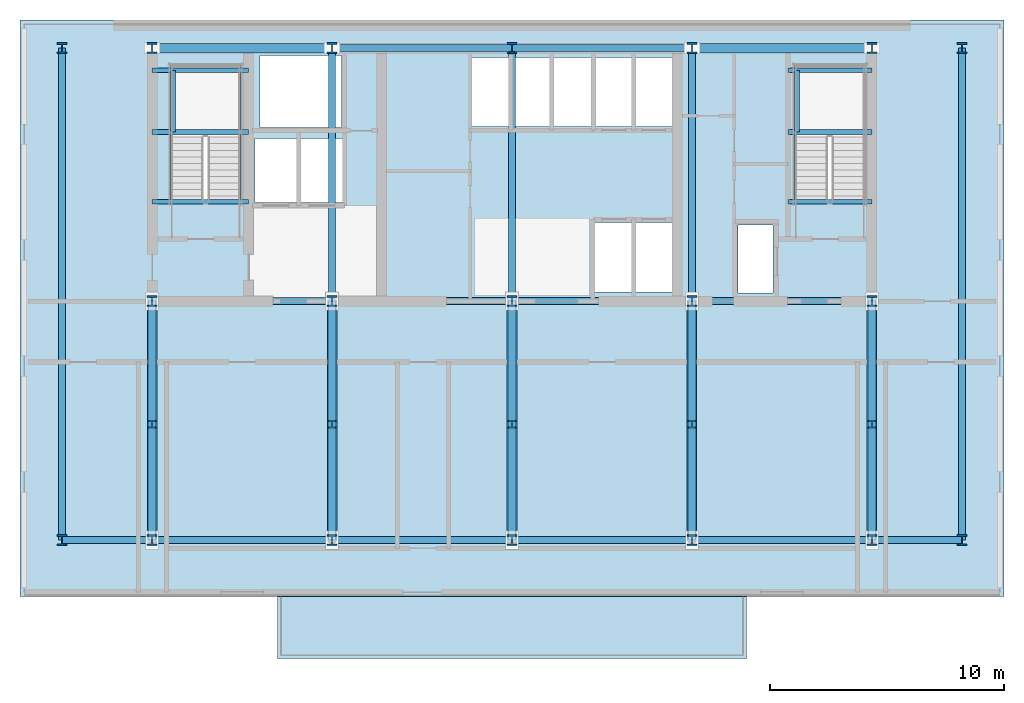
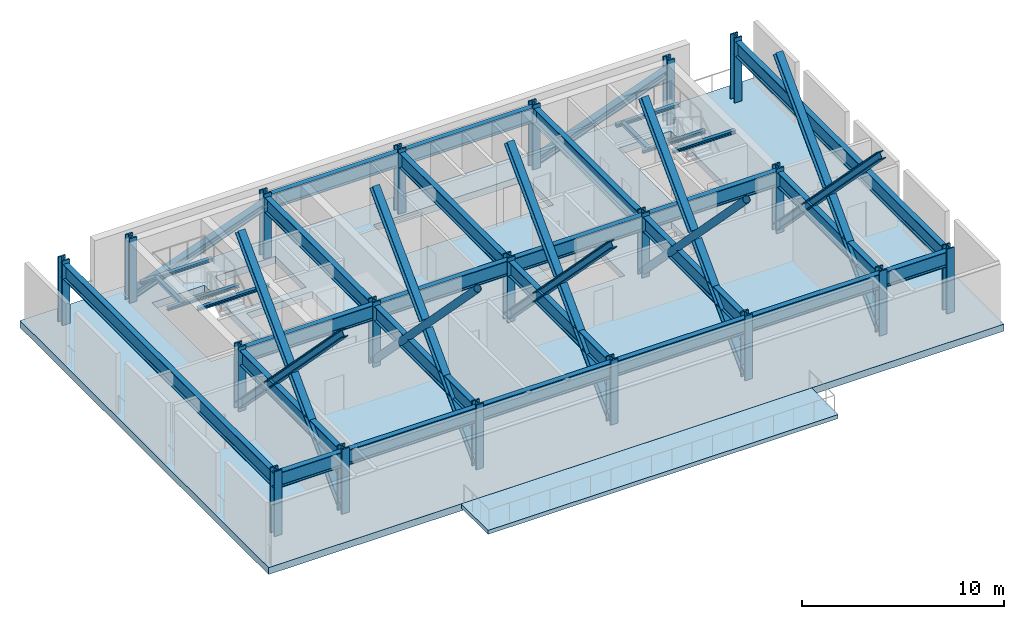
# One storey, part 1 of 8: 30 beams, 19 columns, 17 members, 2 slabs.
"""IFC4 building model written with IfcOpenShell, lengths in metres."""

from ifc_helpers import new_model, si_unit, direction, frame, origin, origin_2d, place, context, subcontext, project, spatial, polyline, hollow_circle, i_section, outline, extrude, material, layer, layer_set, material_profile, profile_set, type_object, element, save


model = new_model("IFC4")

# Units and contexts
model_context = context("Model", 3, precision=1e-05, world=origin(), true_north=direction((0.0, 1.0)))
body_context = subcontext(model_context, "Body", "Model", "MODEL_VIEW")
ifc_project = project(units=[si_unit("LENGTHUNIT", "METRE"), si_unit("AREAUNIT", "SQUARE_METRE"), si_unit("VOLUMEUNIT", "CUBIC_METRE"), si_unit("PLANEANGLEUNIT", "RADIAN"), si_unit("MASSUNIT", "GRAM", prefix="KILO")], contexts=[model_context])

# Site, building, storey
site_placement = place(None, origin())
site = spatial("IfcSite", under=ifc_project, at=site_placement, CompositionType="ELEMENT")
building_placement = place(site_placement, origin())
building = spatial("IfcBuilding", under=site, at=building_placement, Name="Yelkora Congress Tower", CompositionType="ELEMENT")
storey_placement = place(building_placement, frame((0.0, 0.0, 137.300048828125)))
storey = spatial("IfcBuildingStorey", under=building, at=storey_placement, Name="L37", CompositionType="ELEMENT", Elevation=137.300048828125)

# Columns
ifc_material_1 = material(Name="Steel S460M", Category="steel")
ifc_material_profile_1 = material_profile(ifc_material_1, i_section(OverallWidth=0.424072265625, OverallDepth=0.47412109375, WebThickness=0.047119140625, FlangeThickness=0.076904296875, FilletRadius=0.014892578125, at=origin_2d()), Name="HD 400x634")
ifc_profile_set_1 = profile_set([ifc_material_profile_1], Name="Steel S460M")
column_type = type_object("IfcColumnType", Name="COL-HD-634", PredefinedType="COLUMN", material=ifc_profile_set_1)
for number, where, z_axis, x_axis, name in (
    (1, (23.0400390625, 35.39990234375, 0.0), (0.0, 0.0, 1.0), (1.0, 0.0, 0.0), "L37 Mega Column MC-S1"),
    (2, (23.0400390625, 46.199951171875, 0.0), (0.0, 0.0, 1.0), (1.0, 0.0, 0.0), "L37 Mega Column MC-N1"),
    (3, (23.0400390625, 25.199951171875, 0.0), (0.0, 0.0, 1.0), (1.0, 0.0, 0.0), "L37 Mega Column MC-D1"),
    (4, (30.719970703125, 35.39990234375, 0.0), (0.0, 0.0, 1.0), (1.0, 0.0, 0.0), "L37 Mega Column MC-S2"),
    (5, (30.719970703125, 46.199951171875, 0.0), (0.0, 0.0, 1.0), (1.0, 0.0, 0.0), "L37 Mega Column MC-N2"),
    (6, (30.719970703125, 25.199951171875, 0.0), (0.0, 0.0, 1.0), (1.0, 0.0, 0.0), "L37 Mega Column MC-D2"),
    (7, (38.39990234375, 35.39990234375, 0.0), (0.0, 0.0, 1.0), (1.0, 0.0, 0.0), "L37 Mega Column MC-S3"),
    (8, (38.39990234375, 46.199951171875, 0.0), (0.0, 0.0, 1.0), (1.0, 0.0, 0.0), "L37 Mega Column MC-N3"),
    (9, (38.39990234375, 25.199951171875, 0.0), (0.0, 0.0, 1.0), (1.0, 0.0, 0.0), "L37 Mega Column MC-D3"),
    (10, (46.080078125, 35.39990234375, 0.0), (0.0, 0.0, 1.0), (1.0, 0.0, 0.0), "L37 Mega Column MC-S4"),
    (11, (46.080078125, 46.199951171875, 0.0), (0.0, 0.0, 1.0), (1.0, 0.0, 0.0), "L37 Mega Column MC-N4"),
    (12, (46.080078125, 25.199951171875, 0.0), (0.0, 0.0, 1.0), (1.0, 0.0, 0.0), "L37 Mega Column MC-D4"),
    (13, (53.760009765625, 35.39990234375, 0.0), (0.0, 0.0, 1.0), (1.0, 0.0, 0.0), "L37 Mega Column MC-S5"),
    (14, (53.760009765625, 46.199951171875, 0.0), (0.0, 0.0, 1.0), (1.0, 0.0, 0.0), "L37 Mega Column MC-N5"),
    (15, (53.760009765625, 25.199951171875, 0.0), (0.0, 0.0, 1.0), (1.0, 0.0, 0.0), "L37 Mega Column MC-D5"),
    (16, (19.199951171875, 25.199951171875, 0.0), (0.0, 0.0, 1.0), (1.0, 0.0, 0.0), "L37 Mega Column MC-F1"),
    (17, (57.60009765625, 25.199951171875, 0.0), (0.0, 0.0, 1.0), (1.0, 0.0, 0.0), "L37 Mega Column MC-F2"),
    (18, (19.199951171875, 46.199951171875, 0.0), (0.0, 0.0, 1.0), (1.0, 0.0, 0.0), "L37 Mega Column MC-F3"),
    (19, (57.60009765625, 46.199951171875, 0.0), (0.0, 0.0, 1.0), (1.0, 0.0, 0.0), "L37 Mega Column MC-F4"),
):
    element("IfcColumn", number, at=place(storey_placement, frame(where, z_axis=z_axis, x_axis=x_axis)), inside=storey, type_object=column_type, Name=name, PredefinedType="COLUMN", context=body_context, shape_type="SweptSolid", body=[
        extrude(i_section(OverallWidth=0.424072265625, OverallDepth=0.47412109375, WebThickness=0.047119140625, FlangeThickness=0.076904296875, FilletRadius=0.014892578125, at=origin_2d()), origin(), (0.0, 0.0, 1.0), 3.89990234375),
    ])

# Beams
ifc_material_2 = material(Name="Steel S355J2", Category="steel")
ifc_material_profile_2 = material_profile(ifc_material_2, i_section(OverallWidth=0.199951171875, OverallDepth=0.18994140625, WebThickness=0.006591796875, FlangeThickness=0.010009765625, FilletRadius=0.01806640625, at=origin_2d()), Name="HEA 200")
ifc_profile_set_2 = profile_set([ifc_material_profile_2], Name="Steel S355J2")
beam_type_1 = type_object("IfcBeamType", Name="BM-LAND-HEA200", PredefinedType="BEAM", material=ifc_profile_set_2)
for number, where, z_axis, x_axis, name in (
    (20, (23.0400390625, 42.6201171875, 1.634521484375), (1.0, 0.0, 0.0), (0.0, 1.0, 0.0), "ST-01 L37 Landing Header Beam 1S"),
    (21, (23.0400390625, 45.25, 1.634521484375), (1.0, 0.0, 0.0), (0.0, 1.0, 0.0), "ST-01 L37 Landing Header Beam 1N"),
):
    element("IfcBeam", number, at=place(storey_placement, frame(where, z_axis=z_axis, x_axis=x_axis)), inside=storey, type_object=beam_type_1, Name=name, PredefinedType="BEAM", context=body_context, shape_type="SweptSolid", body=[
        extrude(i_section(OverallWidth=0.199951171875, OverallDepth=0.18994140625, WebThickness=0.006591796875, FlangeThickness=0.010009765625, FilletRadius=0.01806640625, at=origin_2d()), origin(), (0.0, 0.0, 1.0), 4.10986328125),
    ])
beam_1_placement = place(storey_placement, frame((23.93994140625, 42.6201171875, 1.634521484375), z_axis=(0.0, 1.0, 0.0), x_axis=(-1.0, 0.0, 0.0)))
element("IfcBeam", 22, at=beam_1_placement, inside=storey, type_object=beam_type_1, Name="ST-01 L37 Landing Trimmer Beam 1M", PredefinedType="BEAM", context=body_context, shape_type="SweptSolid", body=[
    extrude(i_section(OverallWidth=0.199951171875, OverallDepth=0.18994140625, WebThickness=0.006591796875, FlangeThickness=0.010009765625, FilletRadius=0.01806640625, at=origin_2d()), origin(), (0.0, 0.0, 1.0), 2.6298828125),
])
beam_2_placement = place(storey_placement, frame((23.0400390625, 39.639892578125, 3.43798828125), z_axis=(1.0, 0.0, 0.0), x_axis=(0.0, 1.0, 0.0)))
element("IfcBeam", 23, at=beam_2_placement, inside=storey, type_object=beam_type_1, Name="ST-01 L37 Floor Arrival Stringer Header Beam", PredefinedType="BEAM", context=body_context, shape_type="SweptSolid", body=[
    extrude(i_section(OverallWidth=0.199951171875, OverallDepth=0.18994140625, WebThickness=0.006591796875, FlangeThickness=0.010009765625, FilletRadius=0.01806640625, at=origin_2d()), origin(), (0.0, 0.0, 1.0), 4.10986328125),
])
for number, where, z_axis, x_axis, name in (
    (24, (50.179931640625, 42.6201171875, 1.634521484375), (1.0, 0.0, 0.0), (0.0, 1.0, 0.0), "ST-02 L37 Landing Header Beam 1S"),
    (25, (50.179931640625, 45.25, 1.634521484375), (1.0, 0.0, 0.0), (0.0, 1.0, 0.0), "ST-02 L37 Landing Header Beam 1N"),
):
    element("IfcBeam", number, at=place(storey_placement, frame(where, z_axis=z_axis, x_axis=x_axis)), inside=storey, type_object=beam_type_1, Name=name, PredefinedType="BEAM", context=body_context, shape_type="SweptSolid", body=[
        extrude(i_section(OverallWidth=0.199951171875, OverallDepth=0.18994140625, WebThickness=0.006591796875, FlangeThickness=0.010009765625, FilletRadius=0.01806640625, at=origin_2d()), origin(), (0.0, 0.0, 1.0), 3.580078125),
    ])
beam_3_placement = place(storey_placement, frame((50.580078125, 42.6201171875, 1.634521484375), z_axis=(0.0, 1.0, 0.0), x_axis=(-1.0, 0.0, 0.0)))
element("IfcBeam", 26, at=beam_3_placement, inside=storey, type_object=beam_type_1, Name="ST-02 L37 Landing Trimmer Beam 1M", PredefinedType="BEAM", context=body_context, shape_type="SweptSolid", body=[
    extrude(i_section(OverallWidth=0.199951171875, OverallDepth=0.18994140625, WebThickness=0.006591796875, FlangeThickness=0.010009765625, FilletRadius=0.01806640625, at=origin_2d()), origin(), (0.0, 0.0, 1.0), 2.6298828125),
])
beam_4_placement = place(storey_placement, frame((50.179931640625, 39.639892578125, 3.43798828125), z_axis=(1.0, 0.0, 0.0), x_axis=(0.0, 1.0, 0.0)))
element("IfcBeam", 27, at=beam_4_placement, inside=storey, type_object=beam_type_1, Name="ST-02 L37 Floor Arrival Stringer Header Beam", PredefinedType="BEAM", context=body_context, shape_type="SweptSolid", body=[
    extrude(i_section(OverallWidth=0.199951171875, OverallDepth=0.18994140625, WebThickness=0.006591796875, FlangeThickness=0.010009765625, FilletRadius=0.01806640625, at=origin_2d()), origin(), (0.0, 0.0, 1.0), 3.580078125),
])
ifc_material_profile_3 = material_profile(ifc_material_1, i_section(OverallWidth=0.302001953125, OverallDepth=0.909912109375, WebThickness=0.02099609375, FlangeThickness=0.0400390625, FilletRadius=0.030029296875, at=origin_2d()), Name="HEM 900")
ifc_profile_set_3 = profile_set([ifc_material_profile_3], Name="Steel S460M")
beam_type_2 = type_object("IfcBeamType", Name="BM-XFER-HEM900", PredefinedType="BEAM", material=ifc_profile_set_3)
beam_5_placement = place(storey_placement, frame((19.199951171875, 25.199951171875, 3.224853515625), z_axis=(1.0, 0.0, 0.0), x_axis=(0.0, 1.0, 0.0)))
element("IfcBeam", 28, at=beam_5_placement, inside=storey, type_object=beam_type_2, Name="L37 Spine Grid D Girder 1", PredefinedType="BEAM", context=body_context, shape_type="SweptSolid", body=[
    extrude(i_section(OverallWidth=0.302001953125, OverallDepth=0.909912109375, WebThickness=0.02099609375, FlangeThickness=0.0400390625, FilletRadius=0.030029296875, at=origin_2d()), origin(), (0.0, 0.0, 1.0), 3.840087890625),
])
for number, where, z_axis, x_axis, name in (
    (29, (23.0400390625, 25.199951171875, 3.224853515625), (1.0, 0.0, 0.0), (0.0, 1.0, 0.0), "L37 Spine Grid D Girder 2"),
    (30, (30.719970703125, 25.199951171875, 3.224853515625), (1.0, 0.0, 0.0), (0.0, 1.0, 0.0), "L37 Spine Grid D Girder 3"),
):
    element("IfcBeam", number, at=place(storey_placement, frame(where, z_axis=z_axis, x_axis=x_axis)), inside=storey, type_object=beam_type_2, Name=name, PredefinedType="BEAM", context=body_context, shape_type="SweptSolid", body=[
        extrude(i_section(OverallWidth=0.302001953125, OverallDepth=0.909912109375, WebThickness=0.02099609375, FlangeThickness=0.0400390625, FilletRadius=0.030029296875, at=origin_2d()), origin(), (0.0, 0.0, 1.0), 7.679931640625),
    ])
beam_6_placement = place(storey_placement, frame((38.39990234375, 25.199951171875, 3.224853515625), z_axis=(1.0, 0.0, 0.0), x_axis=(0.0, 1.0, 0.0)))
element("IfcBeam", 31, at=beam_6_placement, inside=storey, type_object=beam_type_2, Name="L37 Spine Grid D Girder 4", PredefinedType="BEAM", context=body_context, shape_type="SweptSolid", body=[
    extrude(i_section(OverallWidth=0.302001953125, OverallDepth=0.909912109375, WebThickness=0.02099609375, FlangeThickness=0.0400390625, FilletRadius=0.030029296875, at=origin_2d()), origin(), (0.0, 0.0, 1.0), 7.68017578125),
])
beam_7_placement = place(storey_placement, frame((46.080078125, 25.199951171875, 3.224853515625), z_axis=(1.0, 0.0, 0.0), x_axis=(0.0, 1.0, 0.0)))
element("IfcBeam", 32, at=beam_7_placement, inside=storey, type_object=beam_type_2, Name="L37 Spine Grid D Girder 5", PredefinedType="BEAM", context=body_context, shape_type="SweptSolid", body=[
    extrude(i_section(OverallWidth=0.302001953125, OverallDepth=0.909912109375, WebThickness=0.02099609375, FlangeThickness=0.0400390625, FilletRadius=0.030029296875, at=origin_2d()), origin(), (0.0, 0.0, 1.0), 7.679931640625),
])
beam_8_placement = place(storey_placement, frame((53.760009765625, 25.199951171875, 3.224853515625), z_axis=(1.0, 0.0, 0.0), x_axis=(0.0, 1.0, 0.0)))
element("IfcBeam", 33, at=beam_8_placement, inside=storey, type_object=beam_type_2, Name="L37 Spine Grid D Girder 6", PredefinedType="BEAM", context=body_context, shape_type="SweptSolid", body=[
    extrude(i_section(OverallWidth=0.302001953125, OverallDepth=0.909912109375, WebThickness=0.02099609375, FlangeThickness=0.0400390625, FilletRadius=0.030029296875, at=origin_2d()), origin(), (0.0, 0.0, 1.0), 3.840087890625),
])
beam_9_placement = place(storey_placement, frame((30.719970703125, 46.199951171875, 3.224853515625), z_axis=(1.0, 0.0, 0.0), x_axis=(0.0, 1.0, 0.0)))
element("IfcBeam", 34, at=beam_9_placement, inside=storey, type_object=beam_type_2, Name="L37 Core North Girder 3", PredefinedType="BEAM", context=body_context, shape_type="SweptSolid", body=[
    extrude(i_section(OverallWidth=0.302001953125, OverallDepth=0.909912109375, WebThickness=0.02099609375, FlangeThickness=0.0400390625, FilletRadius=0.030029296875, at=origin_2d()), origin(), (0.0, 0.0, 1.0), 7.679931640625),
])
beam_10_placement = place(storey_placement, frame((38.39990234375, 46.199951171875, 3.224853515625), z_axis=(1.0, 0.0, 0.0), x_axis=(0.0, 1.0, 0.0)))
element("IfcBeam", 35, at=beam_10_placement, inside=storey, type_object=beam_type_2, Name="L37 Core North Girder 4", PredefinedType="BEAM", context=body_context, shape_type="SweptSolid", body=[
    extrude(i_section(OverallWidth=0.302001953125, OverallDepth=0.909912109375, WebThickness=0.02099609375, FlangeThickness=0.0400390625, FilletRadius=0.030029296875, at=origin_2d()), origin(), (0.0, 0.0, 1.0), 7.68017578125),
])
for number, where, z_axis, x_axis, name in (
    (36, (23.0400390625, 35.39990234375, 3.224853515625), (1.0, 0.0, 0.0), (0.0, 1.0, 0.0), "L37 Core South Girder 1"),
    (37, (30.719970703125, 35.39990234375, 3.224853515625), (1.0, 0.0, 0.0), (0.0, 1.0, 0.0), "L37 Core South Girder 2"),
):
    element("IfcBeam", number, at=place(storey_placement, frame(where, z_axis=z_axis, x_axis=x_axis)), inside=storey, type_object=beam_type_2, Name=name, PredefinedType="BEAM", context=body_context, shape_type="SweptSolid", body=[
        extrude(i_section(OverallWidth=0.302001953125, OverallDepth=0.909912109375, WebThickness=0.02099609375, FlangeThickness=0.0400390625, FilletRadius=0.030029296875, at=origin_2d()), origin(), (0.0, 0.0, 1.0), 7.679931640625),
    ])
beam_11_placement = place(storey_placement, frame((38.39990234375, 35.39990234375, 3.224853515625), z_axis=(1.0, 0.0, 0.0), x_axis=(0.0, 1.0, 0.0)))
element("IfcBeam", 38, at=beam_11_placement, inside=storey, type_object=beam_type_2, Name="L37 Core South Girder 3", PredefinedType="BEAM", context=body_context, shape_type="SweptSolid", body=[
    extrude(i_section(OverallWidth=0.302001953125, OverallDepth=0.909912109375, WebThickness=0.02099609375, FlangeThickness=0.0400390625, FilletRadius=0.030029296875, at=origin_2d()), origin(), (0.0, 0.0, 1.0), 7.68017578125),
])
beam_12_placement = place(storey_placement, frame((46.080078125, 35.39990234375, 3.224853515625), z_axis=(1.0, 0.0, 0.0), x_axis=(0.0, 1.0, 0.0)))
element("IfcBeam", 39, at=beam_12_placement, inside=storey, type_object=beam_type_2, Name="L37 Core South Girder 4", PredefinedType="BEAM", context=body_context, shape_type="SweptSolid", body=[
    extrude(i_section(OverallWidth=0.302001953125, OverallDepth=0.909912109375, WebThickness=0.02099609375, FlangeThickness=0.0400390625, FilletRadius=0.030029296875, at=origin_2d()), origin(), (0.0, 0.0, 1.0), 7.679931640625),
])
for number, where, z_axis, x_axis, name in (
    (40, (23.0400390625, 25.199951171875, 3.224853515625), (0.0, 1.0, 0.0), (-1.0, 0.0, 0.0), "L37 Core Tie Girder MC-D1"),
    (41, (30.719970703125, 25.199951171875, 3.224853515625), (0.0, 1.0, 0.0), (-1.0, 0.0, 0.0), "L37 Core Tie Girder MC-D2"),
):
    element("IfcBeam", number, at=place(storey_placement, frame(where, z_axis=z_axis, x_axis=x_axis)), inside=storey, type_object=beam_type_2, Name=name, PredefinedType="BEAM", context=body_context, shape_type="SweptSolid", body=[
        extrude(i_section(OverallWidth=0.302001953125, OverallDepth=0.909912109375, WebThickness=0.02099609375, FlangeThickness=0.0400390625, FilletRadius=0.030029296875, at=origin_2d()), origin(), (0.0, 0.0, 1.0), 10.199951171875),
    ])
beam_13_placement = place(storey_placement, frame((30.719970703125, 35.39990234375, 3.224853515625), z_axis=(0.0, 1.0, 0.0), x_axis=(-1.0, 0.0, 0.0)))
element("IfcBeam", 42, at=beam_13_placement, inside=storey, type_object=beam_type_2, Name="L37 Core Tie Girder MC-S2", PredefinedType="BEAM", context=body_context, shape_type="SweptSolid", body=[
    extrude(i_section(OverallWidth=0.302001953125, OverallDepth=0.909912109375, WebThickness=0.02099609375, FlangeThickness=0.0400390625, FilletRadius=0.030029296875, at=origin_2d()), origin(), (0.0, 0.0, 1.0), 10.800048828125),
])
beam_14_placement = place(storey_placement, frame((38.39990234375, 25.199951171875, 3.224853515625), z_axis=(0.0, 1.0, 0.0), x_axis=(-1.0, 0.0, 0.0)))
element("IfcBeam", 43, at=beam_14_placement, inside=storey, type_object=beam_type_2, Name="L37 Core Tie Girder MC-D3", PredefinedType="BEAM", context=body_context, shape_type="SweptSolid", body=[
    extrude(i_section(OverallWidth=0.302001953125, OverallDepth=0.909912109375, WebThickness=0.02099609375, FlangeThickness=0.0400390625, FilletRadius=0.030029296875, at=origin_2d()), origin(), (0.0, 0.0, 1.0), 10.199951171875),
])
beam_15_placement = place(storey_placement, frame((38.39990234375, 35.39990234375, 3.224853515625), z_axis=(0.0, 1.0, 0.0), x_axis=(-1.0, 0.0, 0.0)))
element("IfcBeam", 44, at=beam_15_placement, inside=storey, type_object=beam_type_2, Name="L37 Core Tie Girder MC-S3", PredefinedType="BEAM", context=body_context, shape_type="SweptSolid", body=[
    extrude(i_section(OverallWidth=0.302001953125, OverallDepth=0.909912109375, WebThickness=0.02099609375, FlangeThickness=0.0400390625, FilletRadius=0.030029296875, at=origin_2d()), origin(), (0.0, 0.0, 1.0), 10.800048828125),
])
beam_16_placement = place(storey_placement, frame((46.080078125, 25.199951171875, 3.224853515625), z_axis=(0.0, 1.0, 0.0), x_axis=(-1.0, 0.0, 0.0)))
element("IfcBeam", 45, at=beam_16_placement, inside=storey, type_object=beam_type_2, Name="L37 Core Tie Girder MC-D4", PredefinedType="BEAM", context=body_context, shape_type="SweptSolid", body=[
    extrude(i_section(OverallWidth=0.302001953125, OverallDepth=0.909912109375, WebThickness=0.02099609375, FlangeThickness=0.0400390625, FilletRadius=0.030029296875, at=origin_2d()), origin(), (0.0, 0.0, 1.0), 10.199951171875),
])
beam_17_placement = place(storey_placement, frame((46.080078125, 35.39990234375, 3.224853515625), z_axis=(0.0, 1.0, 0.0), x_axis=(-1.0, 0.0, 0.0)))
element("IfcBeam", 46, at=beam_17_placement, inside=storey, type_object=beam_type_2, Name="L37 Core Tie Girder MC-S4", PredefinedType="BEAM", context=body_context, shape_type="SweptSolid", body=[
    extrude(i_section(OverallWidth=0.302001953125, OverallDepth=0.909912109375, WebThickness=0.02099609375, FlangeThickness=0.0400390625, FilletRadius=0.030029296875, at=origin_2d()), origin(), (0.0, 0.0, 1.0), 10.800048828125),
])
beam_18_placement = place(storey_placement, frame((53.760009765625, 25.199951171875, 3.224853515625), z_axis=(0.0, 1.0, 0.0), x_axis=(-1.0, 0.0, 0.0)))
element("IfcBeam", 47, at=beam_18_placement, inside=storey, type_object=beam_type_2, Name="L37 Core Tie Girder MC-D5", PredefinedType="BEAM", context=body_context, shape_type="SweptSolid", body=[
    extrude(i_section(OverallWidth=0.302001953125, OverallDepth=0.909912109375, WebThickness=0.02099609375, FlangeThickness=0.0400390625, FilletRadius=0.030029296875, at=origin_2d()), origin(), (0.0, 0.0, 1.0), 10.199951171875),
])
for number, where, z_axis, x_axis, name in (
    (48, (19.199951171875, 25.199951171875, 3.224853515625), (0.0, 1.0, 0.0), (-1.0, 0.0, 0.0), "L37 Neck Flank Girder MC-F1"),
    (49, (57.60009765625, 25.199951171875, 3.224853515625), (0.0, 1.0, 0.0), (-1.0, 0.0, 0.0), "L37 Neck Flank Girder MC-F2"),
):
    element("IfcBeam", number, at=place(storey_placement, frame(where, z_axis=z_axis, x_axis=x_axis)), inside=storey, type_object=beam_type_2, Name=name, PredefinedType="BEAM", context=body_context, shape_type="SweptSolid", body=[
        extrude(i_section(OverallWidth=0.302001953125, OverallDepth=0.909912109375, WebThickness=0.02099609375, FlangeThickness=0.0400390625, FilletRadius=0.030029296875, at=origin_2d()), origin(), (0.0, 0.0, 1.0), 21.0),
    ])

# Members
ifc_material_profile_4 = material_profile(ifc_material_1, hollow_circle(Radius=0.203125, WallThickness=0.01611328125, at=origin_2d()), Name="CHS 406.4x16")
ifc_profile_set_4 = profile_set([ifc_material_profile_4], Name="Steel S460M")
member_type_1 = type_object("IfcMemberType", Name="MEM-BRACE-CHS406", PredefinedType="BRACE", material=ifc_profile_set_4)
for number, where, z_axis, x_axis, name in (
    (50, (30.719970703125, 35.39990234375, 0.25), (0.0, -0.697467826635, 0.71661609723), (1.0, 0.0, 0.0), "N2 Outrigger Continuous Diagonal 2A"),
    (51, (46.080078125, 35.39990234375, 0.25), (0.0, -0.697467826635, 0.71661609723), (1.0, 0.0, 0.0), "N2 Outrigger Continuous Diagonal 4A"),
):
    element("IfcMember", number, at=place(storey_placement, frame(where, z_axis=z_axis, x_axis=x_axis)), inside=storey, type_object=member_type_1, Name=name, PredefinedType="BRACE", context=body_context, shape_type="SweptSolid", body=[
        extrude(hollow_circle(Radius=0.203125, WallThickness=0.01611328125, at=origin_2d()), origin(), (0.0, 0.0, 1.0), 14.624267578125),
    ])
ifc_material_profile_5 = material_profile(ifc_material_1, i_section(OverallWidth=0.406005859375, OverallDepth=0.416015625, WebThickness=0.02978515625, FlangeThickness=0.048095703125, FilletRadius=0.014892578125, at=origin_2d()), Name="HD 400x382")
ifc_profile_set_5 = profile_set([ifc_material_profile_5], Name="Steel S460M")
member_type_2 = type_object("IfcMemberType", Name="MEM-BRACE-HD382", PredefinedType="BRACE", material=ifc_profile_set_5)
member_1_placement = place(storey_placement, frame((23.0400390625, 35.39990234375, 0.25), z_axis=(0.0, -0.697467826635, 0.71661609723), x_axis=(1.0, 0.0, 0.0)))
element("IfcMember", 52, at=member_1_placement, inside=storey, type_object=member_type_2, Name="N2 Outrigger Continuous Diagonal 1A", PredefinedType="BRACE", context=body_context, shape_type="SweptSolid", body=[
    extrude(i_section(OverallWidth=0.406005859375, OverallDepth=0.416015625, WebThickness=0.02978515625, FlangeThickness=0.048095703125, FilletRadius=0.014892578125, at=origin_2d()), origin(), (0.0, 0.0, 1.0), 14.624267578125),
])
member_2_placement = place(storey_placement, frame((23.0400390625, 35.39990234375, 10.72998046875), z_axis=(0.0, -0.697459279751, -0.716624415638), x_axis=(1.0, 0.0, 0.0)))
element("IfcMember", 53, at=member_2_placement, inside=storey, type_object=member_type_2, Name="N2 Outrigger Split Diagonal 1B1", PredefinedType="BRACE", context=body_context, shape_type="SweptSolid", body=[
    extrude(i_section(OverallWidth=0.406005859375, OverallDepth=0.416015625, WebThickness=0.02978515625, FlangeThickness=0.048095703125, FilletRadius=0.014892578125, at=origin_2d()), origin(), (0.0, 0.0, 1.0), 7.082763671875),
])
member_3_placement = place(storey_placement, frame((23.0400390625, 30.139892578125, 5.325439453125), z_axis=(0.0, -0.697476508479, -0.716607647266), x_axis=(1.0, 0.0, 0.0)))
element("IfcMember", 54, at=member_3_placement, inside=storey, type_object=member_type_2, Name="N2 Outrigger Split Diagonal 1B2", PredefinedType="BRACE", context=body_context, shape_type="SweptSolid", body=[
    extrude(i_section(OverallWidth=0.406005859375, OverallDepth=0.416015625, WebThickness=0.02978515625, FlangeThickness=0.048095703125, FilletRadius=0.014892578125, at=origin_2d()), origin(), (0.0, 0.0, 1.0), 7.08251953125),
])
member_4_placement = place(storey_placement, frame((30.719970703125, 35.39990234375, 10.72998046875), z_axis=(0.0, -0.697459279751, -0.716624415638), x_axis=(1.0, 0.0, 0.0)))
element("IfcMember", 55, at=member_4_placement, inside=storey, type_object=member_type_2, Name="N2 Outrigger Split Diagonal 2B1", PredefinedType="BRACE", context=body_context, shape_type="SweptSolid", body=[
    extrude(i_section(OverallWidth=0.406005859375, OverallDepth=0.416015625, WebThickness=0.02978515625, FlangeThickness=0.048095703125, FilletRadius=0.014892578125, at=origin_2d()), origin(), (0.0, 0.0, 1.0), 7.082763671875),
])
member_5_placement = place(storey_placement, frame((30.719970703125, 30.139892578125, 5.325439453125), z_axis=(0.0, -0.697476508479, -0.716607647266), x_axis=(1.0, 0.0, 0.0)))
element("IfcMember", 56, at=member_5_placement, inside=storey, type_object=member_type_2, Name="N2 Outrigger Split Diagonal 2B2", PredefinedType="BRACE", context=body_context, shape_type="SweptSolid", body=[
    extrude(i_section(OverallWidth=0.406005859375, OverallDepth=0.416015625, WebThickness=0.02978515625, FlangeThickness=0.048095703125, FilletRadius=0.014892578125, at=origin_2d()), origin(), (0.0, 0.0, 1.0), 7.08251953125),
])
member_6_placement = place(storey_placement, frame((38.39990234375, 35.39990234375, 0.25), z_axis=(0.0, -0.697467826635, 0.71661609723), x_axis=(1.0, 0.0, 0.0)))
element("IfcMember", 57, at=member_6_placement, inside=storey, type_object=member_type_2, Name="N2 Outrigger Continuous Diagonal 3A", PredefinedType="BRACE", context=body_context, shape_type="SweptSolid", body=[
    extrude(i_section(OverallWidth=0.406005859375, OverallDepth=0.416015625, WebThickness=0.02978515625, FlangeThickness=0.048095703125, FilletRadius=0.014892578125, at=origin_2d()), origin(), (0.0, 0.0, 1.0), 14.624267578125),
])
member_7_placement = place(storey_placement, frame((38.39990234375, 35.39990234375, 10.72998046875), z_axis=(0.0, -0.697459279751, -0.716624415638), x_axis=(1.0, 0.0, 0.0)))
element("IfcMember", 58, at=member_7_placement, inside=storey, type_object=member_type_2, Name="N2 Outrigger Split Diagonal 3B1", PredefinedType="BRACE", context=body_context, shape_type="SweptSolid", body=[
    extrude(i_section(OverallWidth=0.406005859375, OverallDepth=0.416015625, WebThickness=0.02978515625, FlangeThickness=0.048095703125, FilletRadius=0.014892578125, at=origin_2d()), origin(), (0.0, 0.0, 1.0), 7.082763671875),
])
member_8_placement = place(storey_placement, frame((38.39990234375, 30.139892578125, 5.325439453125), z_axis=(0.0, -0.697476508479, -0.716607647266), x_axis=(1.0, 0.0, 0.0)))
element("IfcMember", 59, at=member_8_placement, inside=storey, type_object=member_type_2, Name="N2 Outrigger Split Diagonal 3B2", PredefinedType="BRACE", context=body_context, shape_type="SweptSolid", body=[
    extrude(i_section(OverallWidth=0.406005859375, OverallDepth=0.416015625, WebThickness=0.02978515625, FlangeThickness=0.048095703125, FilletRadius=0.014892578125, at=origin_2d()), origin(), (0.0, 0.0, 1.0), 7.08251953125),
])
member_9_placement = place(storey_placement, frame((46.080078125, 35.39990234375, 10.72998046875), z_axis=(0.0, -0.697459279751, -0.716624415638), x_axis=(1.0, 0.0, 0.0)))
element("IfcMember", 60, at=member_9_placement, inside=storey, type_object=member_type_2, Name="N2 Outrigger Split Diagonal 4B1", PredefinedType="BRACE", context=body_context, shape_type="SweptSolid", body=[
    extrude(i_section(OverallWidth=0.406005859375, OverallDepth=0.416015625, WebThickness=0.02978515625, FlangeThickness=0.048095703125, FilletRadius=0.014892578125, at=origin_2d()), origin(), (0.0, 0.0, 1.0), 7.082763671875),
])
member_10_placement = place(storey_placement, frame((46.080078125, 30.139892578125, 5.325439453125), z_axis=(0.0, -0.697476508479, -0.716607647266), x_axis=(1.0, 0.0, 0.0)))
element("IfcMember", 61, at=member_10_placement, inside=storey, type_object=member_type_2, Name="N2 Outrigger Split Diagonal 4B2", PredefinedType="BRACE", context=body_context, shape_type="SweptSolid", body=[
    extrude(i_section(OverallWidth=0.406005859375, OverallDepth=0.416015625, WebThickness=0.02978515625, FlangeThickness=0.048095703125, FilletRadius=0.014892578125, at=origin_2d()), origin(), (0.0, 0.0, 1.0), 7.08251953125),
])
member_11_placement = place(storey_placement, frame((53.760009765625, 35.39990234375, 0.25), z_axis=(0.0, -0.697467826635, 0.71661609723), x_axis=(1.0, 0.0, 0.0)))
element("IfcMember", 62, at=member_11_placement, inside=storey, type_object=member_type_2, Name="N2 Outrigger Continuous Diagonal 5A", PredefinedType="BRACE", context=body_context, shape_type="SweptSolid", body=[
    extrude(i_section(OverallWidth=0.406005859375, OverallDepth=0.416015625, WebThickness=0.02978515625, FlangeThickness=0.048095703125, FilletRadius=0.014892578125, at=origin_2d()), origin(), (0.0, 0.0, 1.0), 14.624267578125),
])
member_12_placement = place(storey_placement, frame((53.760009765625, 35.39990234375, 10.72998046875), z_axis=(0.0, -0.697459279751, -0.716624415638), x_axis=(1.0, 0.0, 0.0)))
element("IfcMember", 63, at=member_12_placement, inside=storey, type_object=member_type_2, Name="N2 Outrigger Split Diagonal 5B1", PredefinedType="BRACE", context=body_context, shape_type="SweptSolid", body=[
    extrude(i_section(OverallWidth=0.406005859375, OverallDepth=0.416015625, WebThickness=0.02978515625, FlangeThickness=0.048095703125, FilletRadius=0.014892578125, at=origin_2d()), origin(), (0.0, 0.0, 1.0), 7.082763671875),
])
member_13_placement = place(storey_placement, frame((53.760009765625, 30.139892578125, 5.325439453125), z_axis=(0.0, -0.697476508479, -0.716607647266), x_axis=(1.0, 0.0, 0.0)))
element("IfcMember", 64, at=member_13_placement, inside=storey, type_object=member_type_2, Name="N2 Outrigger Split Diagonal 5B2", PredefinedType="BRACE", context=body_context, shape_type="SweptSolid", body=[
    extrude(i_section(OverallWidth=0.406005859375, OverallDepth=0.416015625, WebThickness=0.02978515625, FlangeThickness=0.048095703125, FilletRadius=0.014892578125, at=origin_2d()), origin(), (0.0, 0.0, 1.0), 7.08251953125),
])
ifc_material_profile_6 = material_profile(ifc_material_1, i_section(OverallWidth=0.412109375, OverallDepth=0.43505859375, WebThickness=0.035888671875, FlangeThickness=0.05810546875, FilletRadius=0.014892578125, at=origin_2d()), Name="HD 400x463")
ifc_profile_set_6 = profile_set([ifc_material_profile_6], Name="Steel S460M")
member_type_3 = type_object("IfcMemberType", Name="MEM-STRUT-HD463", PredefinedType="STRUT", material=ifc_profile_set_6)
for number, where, z_axis, x_axis, name in (
    (65, (23.0400390625, 46.199951171875, 0.349853515625), (0.940290758169, 0.0, 0.340372281631), (0.0, 1.0, 0.0), "N2 Core Outrigger Tie Strut W"),
    (66, (46.080078125, 46.199951171875, 0.349853515625), (0.940290758169, 0.0, 0.340372281631), (0.0, 1.0, 0.0), "N2 Core Outrigger Tie Strut E"),
):
    element("IfcMember", number, at=place(storey_placement, frame(where, z_axis=z_axis, x_axis=x_axis)), inside=storey, type_object=member_type_3, Name=name, PredefinedType="STRUT", context=body_context, shape_type="SweptSolid", body=[
        extrude(i_section(OverallWidth=0.412109375, OverallDepth=0.43505859375, WebThickness=0.035888671875, FlangeThickness=0.05810546875, FilletRadius=0.014892578125, at=origin_2d()), origin(), (0.0, 0.0, 1.0), 8.167724609375),
    ])

# Slabs
ifc_material_3 = material(Name="Concrete C40/50", Category="concrete")
ifc_layer_1 = layer(ifc_material_3, 0.239990234375)
ifc_layer_set_1 = layer_set([ifc_layer_1], Name="Concrete C40/50")
slab_type_1 = type_object("IfcSlabType", Name="SLAB-TER-240", PredefinedType="FLOOR", material=ifc_layer_set_1)
slab_1_placement = place(storey_placement, frame((0.0, 0.0, -0.239990234375)))
element("IfcSlab", 67, at=slab_1_placement, inside=storey, type_object=slab_type_1, Name="L37 Planted Sky Garden Terrace Slab", PredefinedType="FLOOR", context=body_context, shape_type="SweptSolid", body=[
    extrude(outline(polyline([(28.39990234375, 20.14990234375), (28.39990234375, 22.800048828125), (48.39990234375, 22.800048828125), (48.39990234375, 20.14990234375), (28.39990234375, 20.14990234375)])), origin(), (0.0, 0.0, 1.0), 0.239990234375),
])
ifc_material_4 = material(Name="Concrete C60/75", Category="concrete")
ifc_layer_2 = layer(ifc_material_4, 0.419921875)
ifc_layer_set_2 = layer_set([ifc_layer_2], Name="Concrete C60/75")
slab_type_2 = type_object("IfcSlabType", Name="SLAB-XFER-420", PredefinedType="FLOOR", material=ifc_layer_set_2)
slab_2_placement = place(storey_placement, frame((0.0, 0.0, -0.420166015625)))
element("IfcSlab", 68, at=slab_2_placement, inside=storey, type_object=slab_type_2, Name="L37 Structural Floor Slab", PredefinedType="FLOOR", context=body_context, shape_type="SweptSolid", body=[
    extrude(outline(polyline([(17.39990234375, 22.800048828125), (59.39990234375, 22.800048828125), (59.39990234375, 47.39990234375), (17.39990234375, 47.39990234375), (17.39990234375, 22.800048828125)]), holes=[polyline([(23.820068359375, 39.6298828125), (26.820068359375, 39.6298828125), (26.820068359375, 45.469970703125), (23.820068359375, 45.469970703125), (23.820068359375, 39.6298828125)]), polyline([(50.4599609375, 39.6298828125), (53.4599609375, 39.6298828125), (53.4599609375, 45.469970703125), (50.4599609375, 45.469970703125), (50.4599609375, 39.6298828125)]), polyline([(48.050048828125, 35.75), (49.550048828125, 35.75), (49.550048828125, 38.64990234375), (48.050048828125, 38.64990234375), (48.050048828125, 35.75)]), polyline([(36.64990234375, 42.85009765625), (45.25, 42.85009765625), (45.25, 45.800048828125), (36.64990234375, 45.800048828125), (36.64990234375, 42.85009765625)]), polyline([(41.949951171875, 35.800048828125), (45.25, 35.800048828125), (45.25, 38.75), (41.949951171875, 38.75), (41.949951171875, 35.800048828125)]), polyline([(27.419921875, 39.60009765625), (31.179931640625, 39.60009765625), (31.179931640625, 42.35009765625), (27.419921875, 42.35009765625), (27.419921875, 39.60009765625)]), polyline([(27.64990234375, 42.820068359375), (31.1201171875, 42.820068359375), (31.1201171875, 45.8798828125), (27.64990234375, 45.8798828125), (27.64990234375, 42.820068359375)])]), origin(), (0.0, 0.0, 1.0), 0.420166015625),
])

save(model, "model.ifc")
